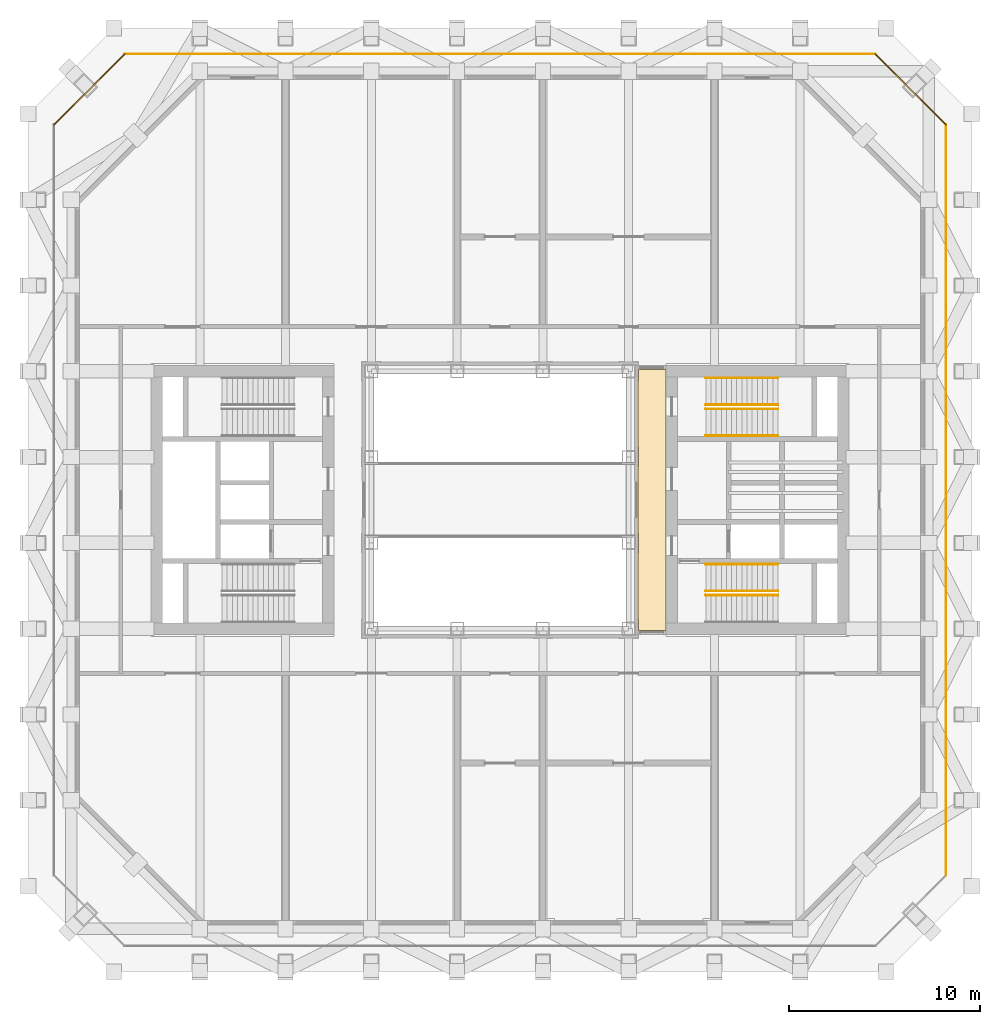
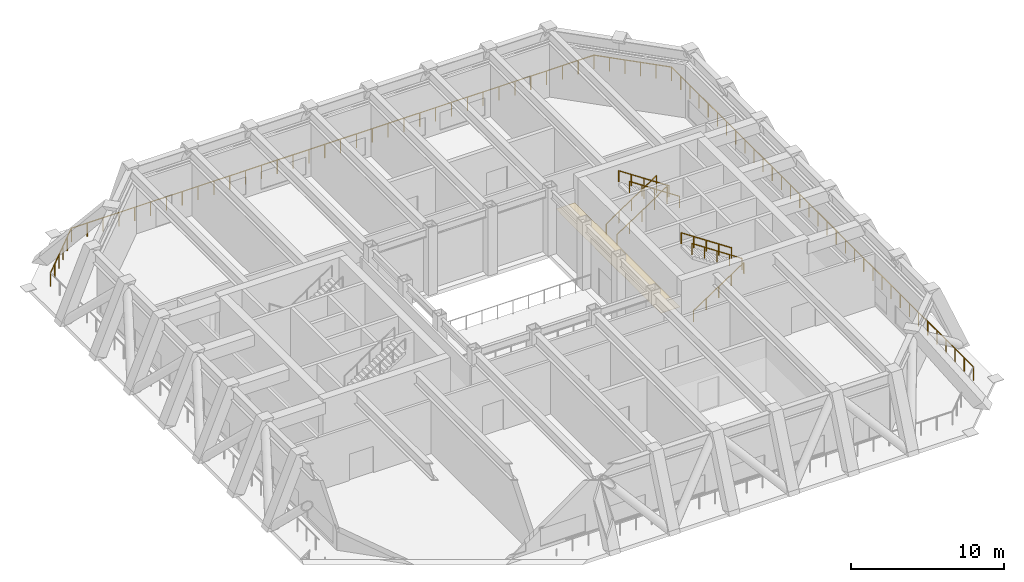
# One storey, part 9 of 9: 11 railings, 1 covering.
"""IFC4 building model written with IfcOpenShell, lengths in metres."""

from ifc_helpers import new_model, si_unit, direction, frame, origin, origin_2d, place, context, subcontext, project, spatial, line, indexed_curve, circle, outline, extrude, material, layer, layer_set, type_object, element, save


model = new_model("IFC4")

# Units and contexts
model_context = context("Model", 3, precision=1e-05, world=origin(), true_north=direction((0.0, 1.0)))
body_context = subcontext(model_context, "Body", "Model", "MODEL_VIEW")
ifc_project = project(units=[si_unit("LENGTHUNIT", "METRE"), si_unit("AREAUNIT", "SQUARE_METRE"), si_unit("VOLUMEUNIT", "CUBIC_METRE"), si_unit("PLANEANGLEUNIT", "RADIAN"), si_unit("MASSUNIT", "GRAM", prefix="KILO")], contexts=[model_context])

# Site, building, storey
site_placement = place(None, origin())
site = spatial("IfcSite", under=ifc_project, at=site_placement, CompositionType="ELEMENT")
building_placement = place(site_placement, origin())
building = spatial("IfcBuilding", under=site, at=building_placement, Name="Msasa Ring Tower", CompositionType="ELEMENT")
storey_placement = place(building_placement, frame((0.0, 0.0, 107.0)))
storey = spatial("IfcBuildingStorey", under=building, at=storey_placement, Name="L28", CompositionType="ELEMENT", Elevation=107.0)

# Covering
ifc_material_1 = material(Name="Gypsum plasterboard on a steel suspension grid", Category="steel")
ifc_layer = layer(ifc_material_1, 0.014892578125)
ifc_layer_set = layer_set([ifc_layer], Name="C1 SUSPENDED PLASTERBOARD CEILING 15")
covering_type = type_object("IfcCoveringType", Name="C1 SUSPENDED PLASTERBOARD CEILING 15", PredefinedType="CEILING", material=ifc_layer_set)
covering_placement = place(storey_placement, frame((0.0, 0.0, 3.199951171875)))
element("IfcCovering", 1, at=covering_placement, inside=storey, type_object=covering_type, Name="Suspended Plasterboard Ceiling 15 public rooms L28", PredefinedType="CEILING", context=body_context, shape_type="SweptSolid", body=[
    extrude(outline(indexed_curve([(8.699462890625, 6.849609375), (8.699462890625, -6.849609375), (7.275390625, -6.849609375), (7.275390625, -6.224609375), (7.25048828125, -6.224609375), (7.25048828125, -2.775390625), (7.275390625, -2.775390625), (7.275390625, -1.724609375), (7.25048828125, -1.724609375), (7.25048828125, 1.724609375), (7.275390625, 1.724609375), (7.275390625, 2.775390625), (7.25048828125, 2.775390625), (7.25048828125, 6.224609375), (7.275390625, 6.224609375), (7.275390625, 6.849609375)], segments=[line(1, 2, 3, 4, 5, 6, 7, 8, 9, 10, 11, 12, 13, 14, 15, 16, 1)], self_intersect=False)), origin(), (0.0, 0.0, 1.0), 0.01513671875),
])

# Railings
ifc_material_2 = material(Name="Stainless steel and laminated glass", Category="steel")
railing_type_1 = type_object("IfcRailingType", Name="GR2 TERRACE GUARD 1100", PredefinedType="GUARDRAIL", material=ifc_material_2)
railing_1_placement = place(storey_placement, frame((23.39990234375, -19.69091796875, 0.0)))
element("IfcRailing", 2, at=railing_1_placement, inside=storey, type_object=railing_type_1, Name="Refuge terrace guard E L28", PredefinedType="GUARDRAIL", context=body_context, shape_type="SweptSolid", body=[
    extrude(circle(Radius=0.02392578125, at=origin_2d()), frame((0.0, 0.0, 1.076171875), z_axis=(0.0, 1.0, 0.0), x_axis=(-1.0, 0.0, 0.0)), (0.0, 0.0, 1.0), 39.3818359375),
    extrude(circle(Radius=0.02099609375, at=origin_2d()), origin(), (0.0, 0.0, 1.0), 1.052001953125),
    extrude(circle(Radius=0.02099609375, at=origin_2d()), frame((0.0, 1.193359375, 0.0)), (0.0, 0.0, 1.0), 1.052001953125),
    extrude(circle(Radius=0.02099609375, at=origin_2d()), frame((0.0, 2.38671875, 0.0)), (0.0, 0.0, 1.0), 1.052001953125),
    extrude(circle(Radius=0.02099609375, at=origin_2d()), frame((0.0, 3.580078125, 0.0)), (0.0, 0.0, 1.0), 1.052001953125),
    extrude(circle(Radius=0.02099609375, at=origin_2d()), frame((0.0, 4.7734375, 0.0)), (0.0, 0.0, 1.0), 1.052001953125),
    extrude(circle(Radius=0.02099609375, at=origin_2d()), frame((0.0, 5.967041015625, 0.0)), (0.0, 0.0, 1.0), 1.052001953125),
    extrude(circle(Radius=0.02099609375, at=origin_2d()), frame((0.0, 7.160400390625, 0.0)), (0.0, 0.0, 1.0), 1.052001953125),
    extrude(circle(Radius=0.02099609375, at=origin_2d()), frame((0.0, 8.353759765625, 0.0)), (0.0, 0.0, 1.0), 1.052001953125),
    extrude(circle(Radius=0.02099609375, at=origin_2d()), frame((0.0, 9.547119140625, 0.0)), (0.0, 0.0, 1.0), 1.052001953125),
    extrude(circle(Radius=0.02099609375, at=origin_2d()), frame((0.0, 10.740478515625, 0.0)), (0.0, 0.0, 1.0), 1.052001953125),
    extrude(circle(Radius=0.02099609375, at=origin_2d()), frame((0.0, 11.933837890625, 0.0)), (0.0, 0.0, 1.0), 1.052001953125),
    extrude(circle(Radius=0.02099609375, at=origin_2d()), frame((0.0, 13.127197265625, 0.0)), (0.0, 0.0, 1.0), 1.052001953125),
    extrude(circle(Radius=0.02099609375, at=origin_2d()), frame((0.0, 14.320556640625, 0.0)), (0.0, 0.0, 1.0), 1.052001953125),
    extrude(circle(Radius=0.02099609375, at=origin_2d()), frame((0.0, 15.51416015625, 0.0)), (0.0, 0.0, 1.0), 1.052001953125),
    extrude(circle(Radius=0.02099609375, at=origin_2d()), frame((0.0, 16.70751953125, 0.0)), (0.0, 0.0, 1.0), 1.052001953125),
    extrude(circle(Radius=0.02099609375, at=origin_2d()), frame((0.0, 17.90087890625, 0.0)), (0.0, 0.0, 1.0), 1.052001953125),
    extrude(circle(Radius=0.02099609375, at=origin_2d()), frame((0.0, 19.09423828125, 0.0)), (0.0, 0.0, 1.0), 1.052001953125),
    extrude(circle(Radius=0.02099609375, at=origin_2d()), frame((0.0, 20.28759765625, 0.0)), (0.0, 0.0, 1.0), 1.052001953125),
    extrude(circle(Radius=0.02099609375, at=origin_2d()), frame((0.0, 21.48095703125, 0.0)), (0.0, 0.0, 1.0), 1.052001953125),
    extrude(circle(Radius=0.02099609375, at=origin_2d()), frame((0.0, 22.67431640625, 0.0)), (0.0, 0.0, 1.0), 1.052001953125),
    extrude(circle(Radius=0.02099609375, at=origin_2d()), frame((0.0, 23.86767578125, 0.0)), (0.0, 0.0, 1.0), 1.052001953125),
    extrude(circle(Radius=0.02099609375, at=origin_2d()), frame((0.0, 25.061279296875, 0.0)), (0.0, 0.0, 1.0), 1.052001953125),
    extrude(circle(Radius=0.02099609375, at=origin_2d()), frame((0.0, 26.254638671875, 0.0)), (0.0, 0.0, 1.0), 1.052001953125),
    extrude(circle(Radius=0.02099609375, at=origin_2d()), frame((0.0, 27.447998046875, 0.0)), (0.0, 0.0, 1.0), 1.052001953125),
    extrude(circle(Radius=0.02099609375, at=origin_2d()), frame((0.0, 28.641357421875, 0.0)), (0.0, 0.0, 1.0), 1.052001953125),
    extrude(circle(Radius=0.02099609375, at=origin_2d()), frame((0.0, 29.834716796875, 0.0)), (0.0, 0.0, 1.0), 1.052001953125),
    extrude(circle(Radius=0.02099609375, at=origin_2d()), frame((0.0, 31.028076171875, 0.0)), (0.0, 0.0, 1.0), 1.052001953125),
    extrude(circle(Radius=0.02099609375, at=origin_2d()), frame((0.0, 32.221435546875, 0.0)), (0.0, 0.0, 1.0), 1.052001953125),
    extrude(circle(Radius=0.02099609375, at=origin_2d()), frame((0.0, 33.414794921875, 0.0)), (0.0, 0.0, 1.0), 1.052001953125),
    extrude(circle(Radius=0.02099609375, at=origin_2d()), frame((0.0, 34.6083984375, 0.0)), (0.0, 0.0, 1.0), 1.052001953125),
    extrude(circle(Radius=0.02099609375, at=origin_2d()), frame((0.0, 35.8017578125, 0.0)), (0.0, 0.0, 1.0), 1.052001953125),
    extrude(circle(Radius=0.02099609375, at=origin_2d()), frame((0.0, 36.9951171875, 0.0)), (0.0, 0.0, 1.0), 1.052001953125),
    extrude(circle(Radius=0.02099609375, at=origin_2d()), frame((0.0, 38.1884765625, 0.0)), (0.0, 0.0, 1.0), 1.052001953125),
    extrude(circle(Radius=0.02099609375, at=origin_2d()), frame((0.0, 39.3818359375, 0.0)), (0.0, 0.0, 1.0), 1.052001953125),
])
railing_2_placement = place(storey_placement, frame((23.39990234375, 19.69091796875, 0.0)))
element("IfcRailing", 3, at=railing_2_placement, inside=storey, type_object=railing_type_1, Name="Refuge terrace guard NE L28", PredefinedType="GUARDRAIL", context=body_context, shape_type="SweptSolid", body=[
    extrude(circle(Radius=0.02392578125, at=origin_2d()), frame((0.0, 0.0, 1.076171875), z_axis=(-0.707106781187, 0.707106781187, 0.0), x_axis=(-0.707106781187, -0.707106781187, 0.0)), (0.0, 0.0, 1.0), 5.245361328125),
    extrude(circle(Radius=0.02099609375, at=origin_2d()), origin(), (0.0, 0.0, 1.0), 1.052001953125),
    extrude(circle(Radius=0.02099609375, at=origin_2d()), frame((-0.74169921875, 0.74169921875, 0.0)), (0.0, 0.0, 1.0), 1.052001953125),
    extrude(circle(Radius=0.02099609375, at=origin_2d()), frame((-1.483642578125, 1.483642578125, 0.0)), (0.0, 0.0, 1.0), 1.052001953125),
    extrude(circle(Radius=0.02099609375, at=origin_2d()), frame((-2.225341796875, 2.225341796875, 0.0)), (0.0, 0.0, 1.0), 1.052001953125),
    extrude(circle(Radius=0.02099609375, at=origin_2d()), frame((-2.96728515625, 2.96728515625, 0.0)), (0.0, 0.0, 1.0), 1.052001953125),
    extrude(circle(Radius=0.02099609375, at=origin_2d()), frame((-3.708984375, 3.708984375, 0.0)), (0.0, 0.0, 1.0), 1.052001953125),
])
railing_3_placement = place(storey_placement, frame((19.69091796875, 23.39990234375, 0.0)))
element("IfcRailing", 4, at=railing_3_placement, inside=storey, type_object=railing_type_1, Name="Refuge terrace guard N L28", PredefinedType="GUARDRAIL", context=body_context, shape_type="SweptSolid", body=[
    extrude(circle(Radius=0.02392578125, at=origin_2d()), frame((0.0, 0.0, 1.076171875), z_axis=(-1.0, 0.0, 0.0), x_axis=(0.0, -1.0, 0.0)), (0.0, 0.0, 1.0), 39.3818359375),
    extrude(circle(Radius=0.02099609375, at=origin_2d()), origin(), (0.0, 0.0, 1.0), 1.052001953125),
    extrude(circle(Radius=0.02099609375, at=origin_2d()), frame((-1.193359375, 0.0, 0.0)), (0.0, 0.0, 1.0), 1.052001953125),
    extrude(circle(Radius=0.02099609375, at=origin_2d()), frame((-2.38671875, 0.0, 0.0)), (0.0, 0.0, 1.0), 1.052001953125),
    extrude(circle(Radius=0.02099609375, at=origin_2d()), frame((-3.580078125, 0.0, 0.0)), (0.0, 0.0, 1.0), 1.052001953125),
    extrude(circle(Radius=0.02099609375, at=origin_2d()), frame((-4.7734375, 0.0, 0.0)), (0.0, 0.0, 1.0), 1.052001953125),
    extrude(circle(Radius=0.02099609375, at=origin_2d()), frame((-5.967041015625, 0.0, 0.0)), (0.0, 0.0, 1.0), 1.052001953125),
    extrude(circle(Radius=0.02099609375, at=origin_2d()), frame((-7.160400390625, 0.0, 0.0)), (0.0, 0.0, 1.0), 1.052001953125),
    extrude(circle(Radius=0.02099609375, at=origin_2d()), frame((-8.353759765625, 0.0, 0.0)), (0.0, 0.0, 1.0), 1.052001953125),
    extrude(circle(Radius=0.02099609375, at=origin_2d()), frame((-9.547119140625, 0.0, 0.0)), (0.0, 0.0, 1.0), 1.052001953125),
    extrude(circle(Radius=0.02099609375, at=origin_2d()), frame((-10.740478515625, 0.0, 0.0)), (0.0, 0.0, 1.0), 1.052001953125),
    extrude(circle(Radius=0.02099609375, at=origin_2d()), frame((-11.933837890625, 0.0, 0.0)), (0.0, 0.0, 1.0), 1.052001953125),
    extrude(circle(Radius=0.02099609375, at=origin_2d()), frame((-13.127197265625, 0.0, 0.0)), (0.0, 0.0, 1.0), 1.052001953125),
    extrude(circle(Radius=0.02099609375, at=origin_2d()), frame((-14.320556640625, 0.0, 0.0)), (0.0, 0.0, 1.0), 1.052001953125),
    extrude(circle(Radius=0.02099609375, at=origin_2d()), frame((-15.51416015625, 0.0, 0.0)), (0.0, 0.0, 1.0), 1.052001953125),
    extrude(circle(Radius=0.02099609375, at=origin_2d()), frame((-16.70751953125, 0.0, 0.0)), (0.0, 0.0, 1.0), 1.052001953125),
    extrude(circle(Radius=0.02099609375, at=origin_2d()), frame((-17.90087890625, 0.0, 0.0)), (0.0, 0.0, 1.0), 1.052001953125),
    extrude(circle(Radius=0.02099609375, at=origin_2d()), frame((-19.09423828125, 0.0, 0.0)), (0.0, 0.0, 1.0), 1.052001953125),
    extrude(circle(Radius=0.02099609375, at=origin_2d()), frame((-20.28759765625, 0.0, 0.0)), (0.0, 0.0, 1.0), 1.052001953125),
    extrude(circle(Radius=0.02099609375, at=origin_2d()), frame((-21.48095703125, 0.0, 0.0)), (0.0, 0.0, 1.0), 1.052001953125),
    extrude(circle(Radius=0.02099609375, at=origin_2d()), frame((-22.67431640625, 0.0, 0.0)), (0.0, 0.0, 1.0), 1.052001953125),
    extrude(circle(Radius=0.02099609375, at=origin_2d()), frame((-23.86767578125, 0.0, 0.0)), (0.0, 0.0, 1.0), 1.052001953125),
    extrude(circle(Radius=0.02099609375, at=origin_2d()), frame((-25.061279296875, 0.0, 0.0)), (0.0, 0.0, 1.0), 1.052001953125),
    extrude(circle(Radius=0.02099609375, at=origin_2d()), frame((-26.254638671875, 0.0, 0.0)), (0.0, 0.0, 1.0), 1.052001953125),
    extrude(circle(Radius=0.02099609375, at=origin_2d()), frame((-27.447998046875, 0.0, 0.0)), (0.0, 0.0, 1.0), 1.052001953125),
    extrude(circle(Radius=0.02099609375, at=origin_2d()), frame((-28.641357421875, 0.0, 0.0)), (0.0, 0.0, 1.0), 1.052001953125),
    extrude(circle(Radius=0.02099609375, at=origin_2d()), frame((-29.834716796875, 0.0, 0.0)), (0.0, 0.0, 1.0), 1.052001953125),
    extrude(circle(Radius=0.02099609375, at=origin_2d()), frame((-31.028076171875, 0.0, 0.0)), (0.0, 0.0, 1.0), 1.052001953125),
    extrude(circle(Radius=0.02099609375, at=origin_2d()), frame((-32.221435546875, 0.0, 0.0)), (0.0, 0.0, 1.0), 1.052001953125),
    extrude(circle(Radius=0.02099609375, at=origin_2d()), frame((-33.414794921875, 0.0, 0.0)), (0.0, 0.0, 1.0), 1.052001953125),
    extrude(circle(Radius=0.02099609375, at=origin_2d()), frame((-34.6083984375, 0.0, 0.0)), (0.0, 0.0, 1.0), 1.052001953125),
    extrude(circle(Radius=0.02099609375, at=origin_2d()), frame((-35.8017578125, 0.0, 0.0)), (0.0, 0.0, 1.0), 1.052001953125),
    extrude(circle(Radius=0.02099609375, at=origin_2d()), frame((-36.9951171875, 0.0, 0.0)), (0.0, 0.0, 1.0), 1.052001953125),
    extrude(circle(Radius=0.02099609375, at=origin_2d()), frame((-38.1884765625, 0.0, 0.0)), (0.0, 0.0, 1.0), 1.052001953125),
    extrude(circle(Radius=0.02099609375, at=origin_2d()), frame((-39.3818359375, 0.0, 0.0)), (0.0, 0.0, 1.0), 1.052001953125),
])
railing_4_placement = place(storey_placement, frame((-19.69091796875, 23.39990234375, 0.0)))
element("IfcRailing", 5, at=railing_4_placement, inside=storey, type_object=railing_type_1, Name="Refuge terrace guard NW L28", PredefinedType="GUARDRAIL", context=body_context, shape_type="SweptSolid", body=[
    extrude(circle(Radius=0.02392578125, at=origin_2d()), frame((0.0, 0.0, 1.076171875), z_axis=(-0.707106781187, -0.707106781187, 0.0), x_axis=(0.707106781187, -0.707106781187, 0.0)), (0.0, 0.0, 1.0), 5.245361328125),
    extrude(circle(Radius=0.02099609375, at=origin_2d()), origin(), (0.0, 0.0, 1.0), 1.052001953125),
    extrude(circle(Radius=0.02099609375, at=origin_2d()), frame((-0.74169921875, -0.74169921875, 0.0)), (0.0, 0.0, 1.0), 1.052001953125),
    extrude(circle(Radius=0.02099609375, at=origin_2d()), frame((-1.483642578125, -1.483642578125, 0.0)), (0.0, 0.0, 1.0), 1.052001953125),
    extrude(circle(Radius=0.02099609375, at=origin_2d()), frame((-2.225341796875, -2.225341796875, 0.0)), (0.0, 0.0, 1.0), 1.052001953125),
    extrude(circle(Radius=0.02099609375, at=origin_2d()), frame((-2.96728515625, -2.96728515625, 0.0)), (0.0, 0.0, 1.0), 1.052001953125),
    extrude(circle(Radius=0.02099609375, at=origin_2d()), frame((-3.708984375, -3.708984375, 0.0)), (0.0, 0.0, 1.0), 1.052001953125),
])
ifc_material_3 = material(Name="Stainless steel", Category="steel")
railing_type_2 = type_object("IfcRailingType", Name="HR1 HANDRAIL 900", PredefinedType="HANDRAIL", material=ifc_material_3)
railing_5_placement = place(storey_placement, frame((10.800048828125, -5.0, 0.179931640625)))
element("IfcRailing", 6, at=railing_5_placement, inside=storey, type_object=railing_type_2, Name="Handrail stair SEA L28 2", PredefinedType="HANDRAIL", context=body_context, shape_type="SweptSolid", body=[
    extrude(circle(Radius=0.02392578125, at=origin_2d()), frame((0.0, 0.0, 0.8759765625), z_axis=(0.832050294338, 0.0, 0.554700196225), x_axis=(0.0, 1.0, 0.0)), (0.0, 0.0, 1.0), 4.54296875),
    extrude(circle(Radius=0.02099609375, at=origin_2d()), origin(), (0.0, 0.0, 1.0), 0.851806640625),
    extrude(circle(Radius=0.02099609375, at=origin_2d()), frame((0.945068359375, 0.0, 0.6298828125)), (0.0, 0.0, 1.0), 0.851806640625),
    extrude(circle(Radius=0.02099609375, at=origin_2d()), frame((1.89013671875, 0.0, 1.260009765625)), (0.0, 0.0, 1.0), 0.851806640625),
    extrude(circle(Radius=0.02099609375, at=origin_2d()), frame((2.8349609375, 0.0, 1.89013671875)), (0.0, 0.0, 1.0), 0.851806640625),
    extrude(circle(Radius=0.02099609375, at=origin_2d()), frame((3.780029296875, 0.0, 2.52001953125)), (0.0, 0.0, 1.0), 0.851806640625),
])
for number, where, name in (
    (7, (14.580078125, -4.77490234375, 2.8798828125), "Handrail stair SEA L28 3"),
    (8, (14.580078125, -3.375, 2.8798828125), "Handrail stair SEA L28 4"),
):
    element("IfcRailing", number, at=place(storey_placement, frame(where)), inside=storey, type_object=railing_type_2, Name=name, PredefinedType="HANDRAIL", context=body_context, shape_type="SweptSolid", body=[
        extrude(circle(Radius=0.02392578125, at=origin_2d()), frame((0.0, 0.0, 0.8759765625), z_axis=(-0.832050294338, 0.0, 0.554700196225), x_axis=(0.0, -1.0, 0.0)), (0.0, 0.0, 1.0), 4.54296875),
        extrude(circle(Radius=0.02099609375, at=origin_2d()), origin(), (0.0, 0.0, 1.0), 0.851806640625),
        extrude(circle(Radius=0.02099609375, at=origin_2d()), frame((-0.945068359375, 0.0, 0.6298828125)), (0.0, 0.0, 1.0), 0.851806640625),
        extrude(circle(Radius=0.02099609375, at=origin_2d()), frame((-1.89013671875, 0.0, 1.260009765625)), (0.0, 0.0, 1.0), 0.851806640625),
        extrude(circle(Radius=0.02099609375, at=origin_2d()), frame((-2.8349609375, 0.0, 1.89013671875)), (0.0, 0.0, 1.0), 0.851806640625),
        extrude(circle(Radius=0.02099609375, at=origin_2d()), frame((-3.780029296875, 0.0, 2.52001953125)), (0.0, 0.0, 1.0), 0.851806640625),
    ])
for number, where, name in (
    (9, (10.800048828125, 5.0, 0.179931640625), "Handrail stair SEB L28 1"),
    (10, (10.800048828125, 6.39990234375, 0.179931640625), "Handrail stair SEB L28 2"),
):
    element("IfcRailing", number, at=place(storey_placement, frame(where)), inside=storey, type_object=railing_type_2, Name=name, PredefinedType="HANDRAIL", context=body_context, shape_type="SweptSolid", body=[
        extrude(circle(Radius=0.02392578125, at=origin_2d()), frame((0.0, 0.0, 0.8759765625), z_axis=(0.832050294338, 0.0, 0.554700196225), x_axis=(0.0, 1.0, 0.0)), (0.0, 0.0, 1.0), 4.54296875),
        extrude(circle(Radius=0.02099609375, at=origin_2d()), origin(), (0.0, 0.0, 1.0), 0.851806640625),
        extrude(circle(Radius=0.02099609375, at=origin_2d()), frame((0.945068359375, 0.0, 0.6298828125)), (0.0, 0.0, 1.0), 0.851806640625),
        extrude(circle(Radius=0.02099609375, at=origin_2d()), frame((1.89013671875, 0.0, 1.260009765625)), (0.0, 0.0, 1.0), 0.851806640625),
        extrude(circle(Radius=0.02099609375, at=origin_2d()), frame((2.8349609375, 0.0, 1.89013671875)), (0.0, 0.0, 1.0), 0.851806640625),
        extrude(circle(Radius=0.02099609375, at=origin_2d()), frame((3.780029296875, 0.0, 2.52001953125)), (0.0, 0.0, 1.0), 0.851806640625),
    ])
for number, where, name in (
    (11, (14.580078125, 3.375, 2.8798828125), "Handrail stair SEB L28 3"),
    (12, (14.580078125, 4.77490234375, 2.8798828125), "Handrail stair SEB L28 4"),
):
    element("IfcRailing", number, at=place(storey_placement, frame(where)), inside=storey, type_object=railing_type_2, Name=name, PredefinedType="HANDRAIL", context=body_context, shape_type="SweptSolid", body=[
        extrude(circle(Radius=0.02392578125, at=origin_2d()), frame((0.0, 0.0, 0.8759765625), z_axis=(-0.832050294338, 0.0, 0.554700196225), x_axis=(0.0, -1.0, 0.0)), (0.0, 0.0, 1.0), 4.54296875),
        extrude(circle(Radius=0.02099609375, at=origin_2d()), origin(), (0.0, 0.0, 1.0), 0.851806640625),
        extrude(circle(Radius=0.02099609375, at=origin_2d()), frame((-0.945068359375, 0.0, 0.6298828125)), (0.0, 0.0, 1.0), 0.851806640625),
        extrude(circle(Radius=0.02099609375, at=origin_2d()), frame((-1.89013671875, 0.0, 1.260009765625)), (0.0, 0.0, 1.0), 0.851806640625),
        extrude(circle(Radius=0.02099609375, at=origin_2d()), frame((-2.8349609375, 0.0, 1.89013671875)), (0.0, 0.0, 1.0), 0.851806640625),
        extrude(circle(Radius=0.02099609375, at=origin_2d()), frame((-3.780029296875, 0.0, 2.52001953125)), (0.0, 0.0, 1.0), 0.851806640625),
    ])

save(model, "model.ifc")
